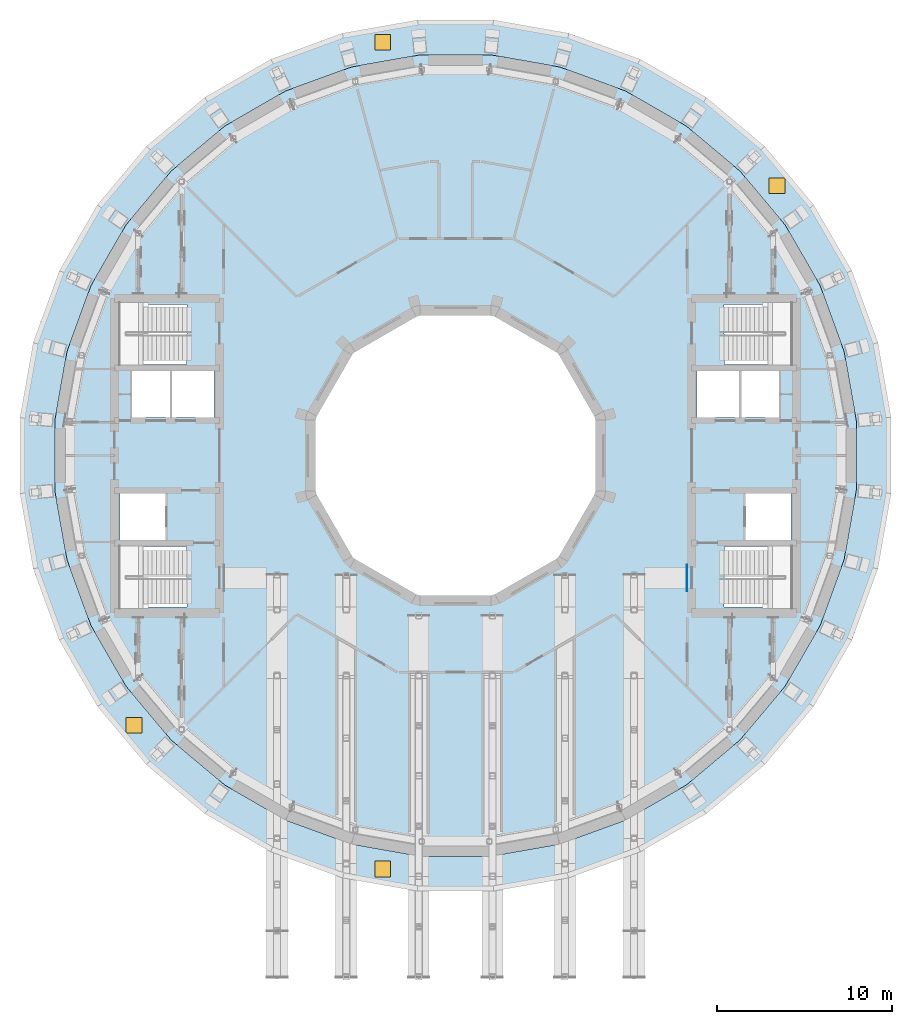
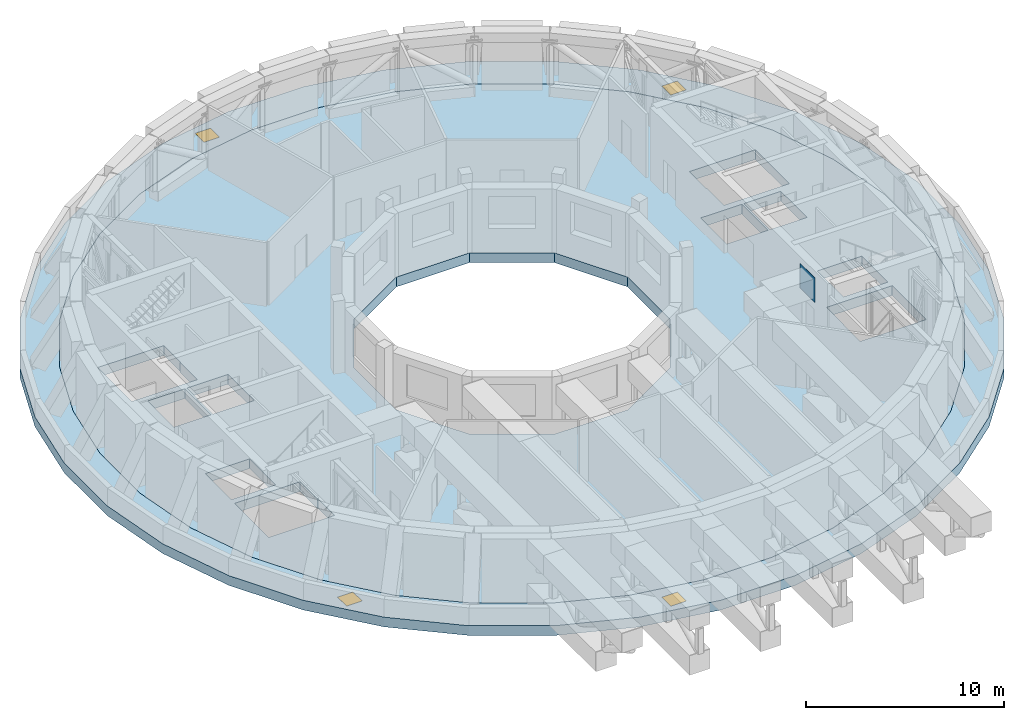
# One storey, part 9 of 20: 2 doors, 2 slabs, 2 windows, 1 plate, 4 openings.
"""IFC4 building model written with IfcOpenShell, lengths in metres."""

from ifc_helpers import new_model, si_unit, direction, frame, origin, origin_2d, place, context, subcontext, project, spatial, polyline, rectangle, outline, extrude, material, layer, layer_set, type_object, element, fill, save


model = new_model("IFC4")

# Units and contexts
model_context = context("Model", 3, precision=1e-05, world=origin(), true_north=direction((0.0, 1.0)))
body_context = subcontext(model_context, "Body", "Model", "MODEL_VIEW")
ifc_project = project(units=[si_unit("LENGTHUNIT", "METRE"), si_unit("AREAUNIT", "SQUARE_METRE"), si_unit("VOLUMEUNIT", "CUBIC_METRE"), si_unit("PLANEANGLEUNIT", "RADIAN"), si_unit("MASSUNIT", "GRAM", prefix="KILO")], contexts=[model_context])

# Site, building, storey
site_placement = place(None, origin())
site = spatial("IfcSite", under=ifc_project, at=site_placement, CompositionType="ELEMENT")
building_placement = place(site_placement, origin())
building = spatial("IfcBuilding", under=site, at=building_placement, Name="Saqina Gate Tower", CompositionType="ELEMENT")
storey_placement = place(building_placement, frame((0.0, 0.0, 220.199951171875)))
storey = spatial("IfcBuildingStorey", under=building, at=storey_placement, Name="L63", CompositionType="ELEMENT", Elevation=220.199951171875)

# Plate
ifc_material_1 = material(Name="Steel S460", Category="steel")
ifc_layer_1 = layer(ifc_material_1, 0.01806640625)
ifc_layer_set_1 = layer_set([ifc_layer_1], Name="Steel S460")
plate_type = type_object("IfcPlateType", Name="STR-EMBED PLATE", PredefinedType="USERDEFINED", material=ifc_layer_set_1)
plate_placement = place(storey_placement, frame((0.0, 0.0, 2.60009765625)))
element("IfcPlate", 1, at=plate_placement, inside=storey, type_object=plate_type, Name="EMBED PLATE L63 TIE 2", ObjectType="EMBED PLATE", PredefinedType="USERDEFINED", context=body_context, shape_type="SweptSolid", body=[
    extrude(outline(polyline([(13.25, -7.75), (13.25, -6.25), (13.23193359375, -6.25), (13.23193359375, -7.75), (13.25, -7.75)])), origin(), (0.0, 0.0, 1.0), 1.5),
])

# Slab
ifc_material_2 = material(Name="Concrete C40/50", Category="concrete")
ifc_layer_2 = layer(ifc_material_2, 0.60009765625)
ifc_layer_set_2 = layer_set([ifc_layer_2], Name="Concrete C40/50")
slab_type_1 = type_object("IfcSlabType", Name="STR-POST-TENSIONED FLAT PLATE FLOOR-600", PredefinedType="FLOOR", material=ifc_layer_set_2)
slab_1_placement = place(storey_placement, frame((0.0, 0.0, -0.599853515625)))
element("IfcSlab", 2, at=slab_1_placement, inside=storey, type_object=slab_type_1, Name="L63-SLB01", PredefinedType="FLOOR", context=body_context, shape_type="SweptSolid", body=[
    extrude(outline(polyline([(22.21630859375, -5.952880859375), (22.91259765625, -2.004638671875), (22.91259765625, 2.004638671875), (22.21630859375, 5.952880859375), (20.844970703125, 9.72021484375), (18.840576171875, 13.192138671875), (16.263427734375, 16.263427734375), (13.192138671875, 18.840576171875), (9.72021484375, 20.844970703125), (5.952880859375, 22.21630859375), (2.004638671875, 22.91259765625), (-2.004638671875, 22.91259765625), (-5.952880859375, 22.21630859375), (-9.72021484375, 20.844970703125), (-13.192138671875, 18.840576171875), (-16.263427734375, 16.263427734375), (-18.840576171875, 13.192138671875), (-20.844970703125, 9.72021484375), (-22.21630859375, 5.952880859375), (-22.91259765625, 2.004638671875), (-22.91259765625, -2.004638671875), (-22.21630859375, -5.952880859375), (-20.844970703125, -9.72021484375), (-18.840576171875, -13.192138671875), (-16.263427734375, -16.263427734375), (-13.192138671875, -18.840576171875), (-9.72021484375, -20.844970703125), (-5.952880859375, -22.21630859375), (-2.004638671875, -22.91259765625), (2.004638671875, -22.91259765625), (5.952880859375, -22.21630859375), (9.72021484375, -20.844970703125), (13.192138671875, -18.840576171875), (16.263427734375, -16.263427734375), (18.840576171875, -13.192138671875), (20.844970703125, -9.72021484375), (22.21630859375, -5.952880859375)]), holes=[polyline([(2.1435546875, 8.0), (5.8564453125, 5.8564453125), (8.0, 2.1435546875), (8.0, -2.1435546875), (5.8564453125, -5.8564453125), (2.1435546875, -8.0), (-2.1435546875, -8.0), (-5.8564453125, -5.8564453125), (-8.0, -2.1435546875), (-8.0, 2.1435546875), (-5.8564453125, 5.8564453125), (-2.1435546875, 8.0), (2.1435546875, 8.0)]), polyline([(-15.35498046875, -8.64990234375), (-19.219970703125, -8.64990234375), (-19.219970703125, -6.96240234375), (-19.219970703125, -5.199951171875), (-15.389892578125, -5.199951171875), (-15.389892578125, -6.96240234375), (-15.35498046875, -6.96240234375), (-15.35498046875, -8.64990234375)]), polyline([(-16.590087890625, -2.175048828125), (-16.590087890625, -4.824951171875), (-19.18994140625, -4.824951171875), (-19.18994140625, -2.175048828125), (-16.590087890625, -2.175048828125)]), polyline([(-16.340087890625, 4.824951171875), (-16.340087890625, 2.175048828125), (-18.5, 2.175048828125), (-18.5, 4.824951171875), (-16.340087890625, 4.824951171875)]), polyline([(-13.81005859375, 4.824951171875), (-13.81005859375, 2.175048828125), (-16.219970703125, 2.175048828125), (-16.219970703125, 4.824951171875), (-13.81005859375, 4.824951171875)]), polyline([(-19.219970703125, 6.96240234375), (-19.219970703125, 8.64990234375), (-15.35498046875, 8.64990234375), (-15.35498046875, 6.96240234375), (-15.389892578125, 6.96240234375), (-15.389892578125, 5.199951171875), (-19.219970703125, 5.199951171875), (-19.219970703125, 6.96240234375)]), polyline([(15.35498046875, -8.64990234375), (15.35498046875, -6.96240234375), (15.389892578125, -6.96240234375), (15.389892578125, -5.199951171875), (19.219970703125, -5.199951171875), (19.219970703125, -6.96240234375), (19.219970703125, -8.64990234375), (15.35498046875, -8.64990234375)]), polyline([(19.18994140625, -2.175048828125), (19.18994140625, -4.824951171875), (16.590087890625, -4.824951171875), (16.590087890625, -2.175048828125), (19.18994140625, -2.175048828125)]), polyline([(16.219970703125, 4.824951171875), (16.219970703125, 2.175048828125), (13.81005859375, 2.175048828125), (13.81005859375, 4.824951171875), (16.219970703125, 4.824951171875)]), polyline([(18.5, 4.824951171875), (18.5, 2.175048828125), (16.340087890625, 2.175048828125), (16.340087890625, 4.824951171875), (18.5, 4.824951171875)]), polyline([(15.389892578125, 6.96240234375), (15.35498046875, 6.96240234375), (15.35498046875, 8.64990234375), (19.219970703125, 8.64990234375), (19.219970703125, 6.96240234375), (19.219970703125, 5.199951171875), (15.389892578125, 5.199951171875), (15.389892578125, 6.96240234375)])]), origin(), (0.0, 0.0, 1.0), 0.599853515625),
])

# Slab, openings, windows, doors
ifc_material_3 = material(Name="Concrete C40/50", Category="concrete")
ifc_layer_3 = layer(ifc_material_3, 0.60009765625)
ifc_layer_set_3 = layer_set([ifc_layer_3], Name="Concrete C40/50")
slab_type_2 = type_object("IfcSlabType", Name="STR-SLAB ROOF-600", PredefinedType="ROOF", material=ifc_layer_set_3)
slab_2_placement = place(storey_placement, frame((0.0, 0.0, -0.599853515625)))
slab_2 = element("IfcSlab", 3, at=slab_2_placement, inside=storey, type_object=slab_type_2, Name="L63-RFS01", PredefinedType="ROOF", context=body_context, shape_type="SweptSolid", body=[
    extrude(outline(polyline([(24.90478515625, 2.178955078125), (24.148193359375, 6.470458984375), (22.65771484375, 10.5654296875), (20.478759765625, 14.33935546875), (17.677734375, 17.677734375), (14.33935546875, 20.478759765625), (10.5654296875, 22.65771484375), (6.470458984375, 24.148193359375), (2.178955078125, 24.90478515625), (-2.178955078125, 24.90478515625), (-6.470458984375, 24.148193359375), (-10.5654296875, 22.65771484375), (-14.33935546875, 20.478759765625), (-17.677734375, 17.677734375), (-20.478759765625, 14.33935546875), (-22.65771484375, 10.5654296875), (-24.148193359375, 6.470458984375), (-24.90478515625, 2.178955078125), (-24.90478515625, -2.178955078125), (-24.148193359375, -6.470458984375), (-22.65771484375, -10.5654296875), (-20.478759765625, -14.33935546875), (-17.677734375, -17.677734375), (-14.33935546875, -20.478759765625), (-10.5654296875, -22.65771484375), (-6.470458984375, -24.148193359375), (-2.178955078125, -24.90478515625), (2.178955078125, -24.90478515625), (6.470458984375, -24.148193359375), (10.5654296875, -22.65771484375), (14.33935546875, -20.478759765625), (17.677734375, -17.677734375), (20.478759765625, -14.33935546875), (22.65771484375, -10.5654296875), (24.148193359375, -6.470458984375), (24.90478515625, -2.178955078125), (24.90478515625, 2.178955078125)]), holes=[polyline([(22.91259765625, 2.004638671875), (22.91259765625, -2.004638671875), (22.21630859375, -5.952880859375), (20.844970703125, -9.72021484375), (18.840576171875, -13.192138671875), (16.263427734375, -16.263427734375), (13.192138671875, -18.840576171875), (9.72021484375, -20.844970703125), (5.952880859375, -22.21630859375), (2.004638671875, -22.91259765625), (-2.004638671875, -22.91259765625), (-5.952880859375, -22.21630859375), (-9.72021484375, -20.844970703125), (-13.192138671875, -18.840576171875), (-16.263427734375, -16.263427734375), (-18.840576171875, -13.192138671875), (-20.844970703125, -9.72021484375), (-22.21630859375, -5.952880859375), (-22.91259765625, -2.004638671875), (-22.91259765625, 2.004638671875), (-22.21630859375, 5.952880859375), (-20.844970703125, 9.72021484375), (-18.840576171875, 13.192138671875), (-16.263427734375, 16.263427734375), (-13.192138671875, 18.840576171875), (-9.72021484375, 20.844970703125), (-5.952880859375, 22.21630859375), (-2.004638671875, 22.91259765625), (2.004638671875, 22.91259765625), (5.952880859375, 22.21630859375), (9.72021484375, 20.844970703125), (13.192138671875, 18.840576171875), (16.263427734375, 16.263427734375), (18.840576171875, 13.192138671875), (20.844970703125, 9.72021484375), (22.21630859375, 5.952880859375), (22.91259765625, 2.004638671875)])]), origin(), (0.0, 0.0, 1.0), 0.599853515625),
])
opening_1_placement = place(slab_2_placement, frame((-4.16748046875, 23.635498046875, 0.0)))
opening_1 = element("IfcOpeningElement", 4, at=opening_1_placement, cuts=slab_2, Name="Opening L63-W13", PredefinedType="OPENING", context=body_context, shape_type="SweptSolid", body=[
    extrude(rectangle(XDim=0.89990234375, YDim=0.89990234375, at=origin_2d()), frame((0.0, 0.0, -0.011962890625)), (0.0, 0.0, 1.0), 0.623779296875),
])
opening_2_placement = place(slab_2_placement, frame((-4.16748046875, -23.635498046875, 0.0)))
opening_2 = element("IfcOpeningElement", 5, at=opening_2_placement, cuts=slab_2, Name="Opening L63-W14", PredefinedType="OPENING", context=body_context, shape_type="SweptSolid", body=[
    extrude(rectangle(XDim=0.89990234375, YDim=0.89990234375, at=origin_2d()), frame((0.0, 0.0, -0.011962890625)), (0.0, 0.0, 1.0), 0.623779296875),
])
opening_3_placement = place(slab_2_placement, frame((18.385009765625, 15.427001953125, 0.0)))
opening_3 = element("IfcOpeningElement", 6, at=opening_3_placement, cuts=slab_2, Name="Opening L63-D82", PredefinedType="OPENING", context=body_context, shape_type="SweptSolid", body=[
    extrude(rectangle(XDim=0.89990234375, YDim=0.89990234375, at=origin_2d()), frame((0.0, 0.0, -0.011962890625)), (0.0, 0.0, 1.0), 0.623779296875),
])
opening_4_placement = place(slab_2_placement, frame((-18.385009765625, -15.427001953125, 0.0)))
opening_4 = element("IfcOpeningElement", 7, at=opening_4_placement, cuts=slab_2, Name="Opening L63-D83", PredefinedType="OPENING", context=body_context, shape_type="SweptSolid", body=[
    extrude(rectangle(XDim=0.89990234375, YDim=0.89990234375, at=origin_2d()), frame((0.0, 0.0, -0.011962890625)), (0.0, 0.0, 1.0), 0.623779296875),
])
ifc_material_4 = material(Name="Aluminium glazing", Category="aluminium")
window_type = type_object("IfcWindowType", Name="RH-HATCH", PartitioningType="SINGLE_PANEL", PredefinedType="SKYLIGHT", material=ifc_material_4)
window_1_placement = place(opening_1_placement, frame((0.0, 0.0, 0.5498046875)))
window_1 = element("IfcWindow", 8, at=window_1_placement, inside=storey, type_object=window_type, Name="Rooflight L63 1", OverallHeight=0.89990234375, OverallWidth=0.89990234375, PartitioningType="SINGLE_PANEL", PredefinedType="SKYLIGHT", context=body_context, shape_type="SweptSolid", body=[
    extrude(rectangle(XDim=0.89990234375, YDim=0.89990234375, at=origin_2d()), origin(), (0.0, 0.0, 1.0), 0.050048828125),
])
fill(opening_1, window_1)
window_2_placement = place(opening_2_placement, frame((0.0, 0.0, 0.5498046875)))
window_2 = element("IfcWindow", 9, at=window_2_placement, inside=storey, type_object=window_type, Name="Rooflight L63 2", OverallHeight=0.89990234375, OverallWidth=0.89990234375, PartitioningType="SINGLE_PANEL", PredefinedType="SKYLIGHT", context=body_context, shape_type="SweptSolid", body=[
    extrude(rectangle(XDim=0.89990234375, YDim=0.89990234375, at=origin_2d()), origin(), (0.0, 0.0, 1.0), 0.050048828125),
])
fill(opening_2, window_2)
ifc_material_5 = material(Name="Galvanised steel", Category="steel")
door_type = type_object("IfcDoorType", Name="RH-TRAP", OperationType="SINGLE_SWING_LEFT", PredefinedType="TRAPDOOR", material=ifc_material_5)
door_1_placement = place(opening_3_placement, frame((0.0, 0.0, 0.5498046875)))
door_1 = element("IfcDoor", 10, at=door_1_placement, inside=storey, type_object=door_type, Name="Roof access hatch L63 1", OperationType="SINGLE_SWING_LEFT", OverallHeight=0.89990234375, OverallWidth=0.89990234375, PredefinedType="TRAPDOOR", context=body_context, shape_type="SweptSolid", body=[
    extrude(rectangle(XDim=0.89990234375, YDim=0.89990234375, at=origin_2d()), origin(), (0.0, 0.0, 1.0), 0.050048828125),
])
fill(opening_3, door_1)
door_2_placement = place(opening_4_placement, frame((0.0, 0.0, 0.5498046875)))
door_2 = element("IfcDoor", 11, at=door_2_placement, inside=storey, type_object=door_type, Name="Roof access hatch L63 2", OperationType="SINGLE_SWING_LEFT", OverallHeight=0.89990234375, OverallWidth=0.89990234375, PredefinedType="TRAPDOOR", context=body_context, shape_type="SweptSolid", body=[
    extrude(rectangle(XDim=0.89990234375, YDim=0.89990234375, at=origin_2d()), origin(), (0.0, 0.0, 1.0), 0.050048828125),
])
fill(opening_4, door_2)

save(model, "model.ifc")
